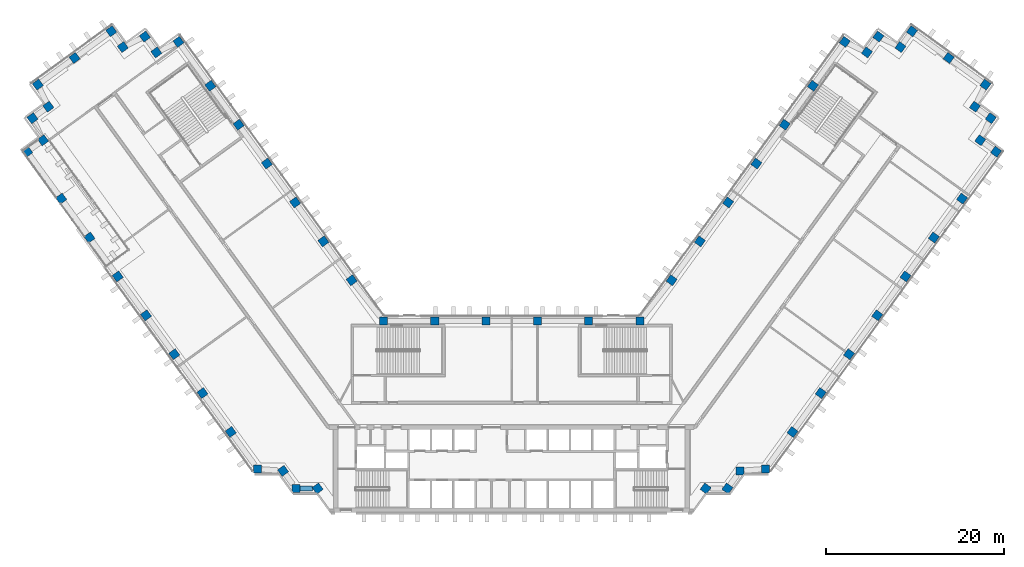
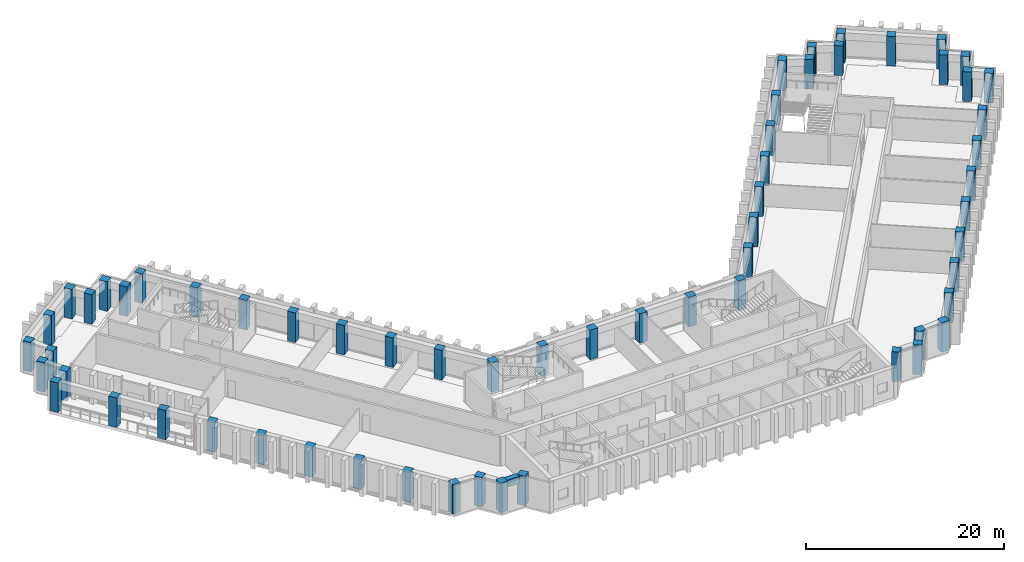
# One storey, part 1 of 17: 62 columns, 1 beam.
"""IFC4 building model written with IfcOpenShell, lengths in metres."""

from ifc_helpers import new_model, si_unit, direction, frame, origin, origin_2d, place, context, subcontext, project, spatial, rectangle, extrude, material, material_profile, profile_set, type_object, element, save


model = new_model("IFC4")

# Units and contexts
model_context = context("Model", 3, precision=1e-05, world=origin(), true_north=direction((0.0, 1.0)))
body_context = subcontext(model_context, "Body", "Model", "MODEL_VIEW")
ifc_project = project(units=[si_unit("LENGTHUNIT", "METRE"), si_unit("AREAUNIT", "SQUARE_METRE"), si_unit("VOLUMEUNIT", "CUBIC_METRE"), si_unit("PLANEANGLEUNIT", "RADIAN"), si_unit("MASSUNIT", "GRAM", prefix="KILO")], contexts=[model_context])

# Site, building, storey
site_placement = place(None, origin())
site = spatial("IfcSite", under=ifc_project, at=site_placement, CompositionType="ELEMENT")
building_placement = place(site_placement, origin())
building = spatial("IfcBuilding", under=site, at=building_placement, Name="Quipu Civic Tower", CompositionType="ELEMENT")
storey_placement = place(building_placement, frame((0.0, 0.0, 39.0)))
storey = spatial("IfcBuildingStorey", under=building, at=storey_placement, Name="L08", CompositionType="ELEMENT", Elevation=39.0)

# Columns
ifc_material_1 = material(Name="Concrete C70/85", Category="concrete")
ifc_material_profile_1 = material_profile(ifc_material_1, rectangle(XDim=0.89990234375, YDim=0.89990234375, at=origin_2d()), Name="RC900x900")
ifc_profile_set_1 = profile_set([ifc_material_profile_1], Name="Concrete C70/85")
column_type = type_object("IfcColumnType", Name="Perimeter column RC 900x900 C70/85", PredefinedType="COLUMN", material=ifc_profile_set_1)
for number, where, z_axis, x_axis, name in (
    (1, (-17.9736328125, 15.074951171875, 0.0), (0.0, 0.0, 1.0), (-0.587785252292, 0.809016994375, 0.0), "Column L08 W-IN-01"),
    (2, (-21.1474609375, 19.44384765625, 0.0), (0.0, 0.0, 1.0), (-0.587785252292, 0.809016994375, 0.0), "Column L08 W-IN-02"),
    (3, (-24.3212890625, 23.8125, 0.0), (0.0, 0.0, 1.0), (-0.587785252292, 0.809016994375, 0.0), "Column L08 W-IN-03"),
    (4, (-27.4951171875, 28.181396484375, 0.0), (0.0, 0.0, 1.0), (-0.587785252292, 0.809016994375, 0.0), "Column L08 W-IN-04"),
    (5, (-30.6689453125, 32.55029296875, 0.0), (0.0, 0.0, 1.0), (-0.587785252292, 0.809016994375, 0.0), "Column L08 W-IN-05"),
    (6, (-33.843017578125, 36.919189453125, 0.0), (0.0, 0.0, 1.0), (-0.587785252292, 0.809016994375, 0.0), "Column L08 W-IN-06"),
    (7, (-37.425048828125, 41.85009765625, 0.0), (0.0, 0.0, 1.0), (-0.587785252292, 0.809016994375, 0.0), "Column L08 T-Wi.0-W50"),
    (8, (-39.905517578125, 40.666015625, 0.0), (0.0, 0.0, 1.0), (-0.587785252292, 0.809016994375, 0.0), "Column L08 T-Wi.1-W50"),
    (9, (-41.199951171875, 42.445068359375, 0.0), (0.0, 0.0, 1.0), (-0.587785252292, 0.809016994375, 0.0), "Column L08 T-Wi.2-W50"),
    (10, (-43.674560546875, 41.264892578125, 0.0), (0.0, 0.0, 1.0), (-0.809016994375, -0.587785252292, 0.0), "Column L08 T-Wi.3-W50"),
    (11, (-44.969970703125, 43.044921875, 0.0), (0.0, 0.0, 1.0), (-0.809016994375, -0.587785252292, 0.0), "Column L08 T-Wi.4-W50"),
    (12, (-49.095703125, 40.046875, 0.0), (0.0, 0.0, 1.0), (-0.809016994375, -0.587785252292, 0.0), "Column L08 TIP-W-01-W50"),
    (13, (-53.219970703125, 37.050048828125, 0.0), (0.0, 0.0, 1.0), (0.587785252292, -0.809016994375, 0.0), "Column L08 T-Wo.0-W50"),
    (14, (-52.038818359375, 34.571044921875, 0.0), (0.0, 0.0, 1.0), (-0.809016994375, -0.587785252292, 0.0), "Column L08 T-Wo.1-W50"),
    (15, (-53.820068359375, 33.27490234375, 0.0), (0.0, 0.0, 1.0), (0.587785252292, -0.809016994375, 0.0), "Column L08 T-Wo.2-W50"),
    (16, (-52.635986328125, 30.799560546875, 0.0), (0.0, 0.0, 1.0), (-0.809016994375, -0.587785252292, 0.0), "Column L08 T-Wo.3-W50"),
    (17, (-54.4150390625, 29.5048828125, 0.0), (0.0, 0.0, 1.0), (0.587785252292, -0.809016994375, 0.0), "Column L08 T-Wo.4-W50"),
    (18, (-50.59228515625, 24.243408203125, 0.0), (0.0, 0.0, 1.0), (0.587785252292, -0.809016994375, 0.0), "Column L08 W-OUT-07"),
    (19, (-47.41845703125, 19.874755859375, 0.0), (0.0, 0.0, 1.0), (0.587785252292, -0.809016994375, 0.0), "Column L08 W-OUT-06"),
    (20, (-44.244384765625, 15.506103515625, 0.0), (0.0, 0.0, 1.0), (0.587785252292, -0.809016994375, 0.0), "Column L08 W-OUT-05"),
    (21, (-41.0703125, 11.137451171875, 0.0), (0.0, 0.0, 1.0), (0.587785252292, -0.809016994375, 0.0), "Column L08 W-OUT-04"),
    (22, (-37.896240234375, 6.768798828125, 0.0), (0.0, 0.0, 1.0), (0.587785252292, -0.809016994375, 0.0), "Column L08 W-OUT-03"),
    (23, (-34.722412109375, 2.39990234375, 0.0), (0.0, 0.0, 1.0), (0.587785252292, -0.809016994375, 0.0), "Column L08 W-OUT-02"),
    (24, (-31.54833984375, -1.96875, 0.0), (0.0, 0.0, 1.0), (0.587785252292, -0.809016994375, 0.0), "Column L08 W-OUT-01"),
    (25, (-28.52490234375, -6.1298828125, 0.0), (0.0, 0.0, 1.0), (1.0, 0.0, 0.0), "Column L08 J-Wo.0"),
    (26, (-25.67431640625, -6.3369140625, 0.0), (0.0, 0.0, 1.0), (0.587785252292, -0.809016994375, 0.0), "Column L08 J-Wo.1"),
    (27, (-24.235107421875, -8.31494140625, 0.0), (0.0, 0.0, 1.0), (1.0, 0.0, 0.0), "Column L08 J-Wo.2"),
    (28, (-21.791748046875, -8.31494140625, 0.0), (0.0, 0.0, 1.0), (0.587785252292, -0.809016994375, 0.0), "Column L08 J-Wo.3"),
    (29, (21.791748046875, -8.31494140625, 0.0), (0.0, 0.0, 1.0), (0.587785252292, 0.809016994375, 0.0), "Column L08 J-Eo.1"),
    (30, (24.235107421875, -8.31494140625, 0.0), (0.0, 0.0, 1.0), (0.587785252292, 0.809016994375, 0.0), "Column L08 J-Eo.2"),
    (31, (25.67431640625, -6.3369140625, 0.0), (0.0, 0.0, 1.0), (1.0, 0.0, 0.0), "Column L08 J-Eo.3"),
    (32, (28.52490234375, -6.1298828125, 0.0), (0.0, 0.0, 1.0), (1.0, 0.0, 0.0), "Column L08 J-Eo.4"),
    (33, (31.54833984375, -1.96875, 0.0), (0.0, 0.0, 1.0), (0.587785252292, 0.809016994375, 0.0), "Column L08 E-OUT-01"),
    (34, (34.722412109375, 2.39990234375, 0.0), (0.0, 0.0, 1.0), (0.587785252292, 0.809016994375, 0.0), "Column L08 E-OUT-02"),
    (35, (37.896240234375, 6.768798828125, 0.0), (0.0, 0.0, 1.0), (0.587785252292, 0.809016994375, 0.0), "Column L08 E-OUT-03"),
    (36, (41.0703125, 11.137451171875, 0.0), (0.0, 0.0, 1.0), (0.587785252292, 0.809016994375, 0.0), "Column L08 E-OUT-04"),
    (37, (44.244384765625, 15.506103515625, 0.0), (0.0, 0.0, 1.0), (0.587785252292, 0.809016994375, 0.0), "Column L08 E-OUT-05"),
    (38, (47.41845703125, 19.874755859375, 0.0), (0.0, 0.0, 1.0), (0.587785252292, 0.809016994375, 0.0), "Column L08 E-OUT-06"),
    (39, (50.59228515625, 24.243408203125, 0.0), (0.0, 0.0, 1.0), (0.587785252292, 0.809016994375, 0.0), "Column L08 E-OUT-07"),
    (40, (54.4150390625, 29.5048828125, 0.0), (0.0, 0.0, 1.0), (0.587785252292, 0.809016994375, 0.0), "Column L08 T-Eo.0-E50"),
    (41, (52.635986328125, 30.799560546875, 0.0), (0.0, 0.0, 1.0), (-0.809016994375, 0.587785252292, 0.0), "Column L08 T-Eo.1-E50"),
    (42, (53.820068359375, 33.27490234375, 0.0), (0.0, 0.0, 1.0), (-0.809016994375, 0.587785252292, 0.0), "Column L08 T-Eo.2-E50"),
    (43, (52.038818359375, 34.571044921875, 0.0), (0.0, 0.0, 1.0), (0.587785252292, 0.809016994375, 0.0), "Column L08 T-Eo.3-E50"),
    (44, (53.219970703125, 37.050048828125, 0.0), (0.0, 0.0, 1.0), (-0.809016994375, 0.587785252292, 0.0), "Column L08 T-Eo.4-E50"),
    (45, (49.095703125, 40.046875, 0.0), (0.0, 0.0, 1.0), (-0.809016994375, 0.587785252292, 0.0), "Column L08 TIP-E-01-E50"),
    (46, (44.969970703125, 43.044921875, 0.0), (0.0, 0.0, 1.0), (-0.809016994375, 0.587785252292, 0.0), "Column L08 T-Ei.0-E50"),
    (47, (43.674560546875, 41.264892578125, 0.0), (0.0, 0.0, 1.0), (-0.809016994375, 0.587785252292, 0.0), "Column L08 T-Ei.1-E50"),
    (48, (41.199951171875, 42.445068359375, 0.0), (0.0, 0.0, 1.0), (-0.587785252292, -0.809016994375, 0.0), "Column L08 T-Ei.2-E50"),
    (49, (39.905517578125, 40.666015625, 0.0), (0.0, 0.0, 1.0), (-0.587785252292, -0.809016994375, 0.0), "Column L08 T-Ei.3-E50"),
    (50, (37.425048828125, 41.85009765625, 0.0), (0.0, 0.0, 1.0), (-0.587785252292, -0.809016994375, 0.0), "Column L08 T-Ei.4-E50"),
    (51, (33.843017578125, 36.919189453125, 0.0), (0.0, 0.0, 1.0), (-0.587785252292, -0.809016994375, 0.0), "Column L08 E-IN-06"),
    (52, (30.6689453125, 32.55029296875, 0.0), (0.0, 0.0, 1.0), (-0.587785252292, -0.809016994375, 0.0), "Column L08 E-IN-05"),
    (53, (27.4951171875, 28.181396484375, 0.0), (0.0, 0.0, 1.0), (-0.587785252292, -0.809016994375, 0.0), "Column L08 E-IN-04"),
    (54, (24.3212890625, 23.8125, 0.0), (0.0, 0.0, 1.0), (-0.587785252292, -0.809016994375, 0.0), "Column L08 E-IN-03"),
    (55, (21.1474609375, 19.44384765625, 0.0), (0.0, 0.0, 1.0), (-0.587785252292, -0.809016994375, 0.0), "Column L08 E-IN-02"),
    (56, (17.9736328125, 15.074951171875, 0.0), (0.0, 0.0, 1.0), (-0.587785252292, -0.809016994375, 0.0), "Column L08 E-IN-01"),
    (57, (14.395263671875, 10.5, 0.0), (0.0, 0.0, 1.0), (-1.0, 0.0, 0.0), "Column L08 J-Ei.0"),
    (58, (8.63720703125, 10.5, 0.0), (0.0, 0.0, 1.0), (-1.0, 0.0, 0.0), "Column L08 FRONT-01"),
    (59, (2.87890625, 10.5, 0.0), (0.0, 0.0, 1.0), (-1.0, 0.0, 0.0), "Column L08 FRONT-02"),
    (60, (-2.87890625, 10.5, 0.0), (0.0, 0.0, 1.0), (-1.0, 0.0, 0.0), "Column L08 FRONT-03"),
    (61, (-8.63720703125, 10.5, 0.0), (0.0, 0.0, 1.0), (-1.0, 0.0, 0.0), "Column L08 FRONT-04"),
    (62, (-14.395263671875, 10.5, 0.0), (0.0, 0.0, 1.0), (-1.0, 0.0, 0.0), "Column L08 J-Wi.0"),
):
    element("IfcColumn", number, at=place(storey_placement, frame(where, z_axis=z_axis, x_axis=x_axis)), inside=storey, type_object=column_type, Name=name, PredefinedType="COLUMN", context=body_context, shape_type="SweptSolid", body=[
        extrude(rectangle(XDim=0.89990234375, YDim=0.89990234375, at=origin_2d()), origin(), (0.0, 0.0, 1.0), 3.64990234375),
    ])

# Beam
ifc_material_2 = material(Name="Concrete C50/60", Category="concrete")
ifc_material_profile_2 = material_profile(ifc_material_2, rectangle(XDim=0.60009765625, YDim=0.89990234375, at=origin_2d()), Name="RC600x900")
ifc_profile_set_2 = profile_set([ifc_material_profile_2], Name="Concrete C50/60")
beam_type = type_object("IfcBeamType", Name="Spandrel beam RC 600x900 C50/60", PredefinedType="SPANDREL", material=ifc_profile_set_2)
beam_placement = place(storey_placement, frame((-23.784912109375, -8.31494140625, 3.199951171875), z_axis=(1.0, 0.0, 0.0), x_axis=(0.0, 1.0, 0.0)))
element("IfcBeam", 63, at=beam_placement, inside=storey, type_object=beam_type, Name="Spandrel beam L08 J-Wo.2 to J-Wo.3", PredefinedType="SPANDREL", context=body_context, shape_type="SweptSolid", body=[
    extrude(rectangle(XDim=0.60009765625, YDim=0.89990234375, at=origin_2d()), origin(), (0.0, 0.0, 1.0), 1.436767578125),
])

save(model, "model.ifc")
